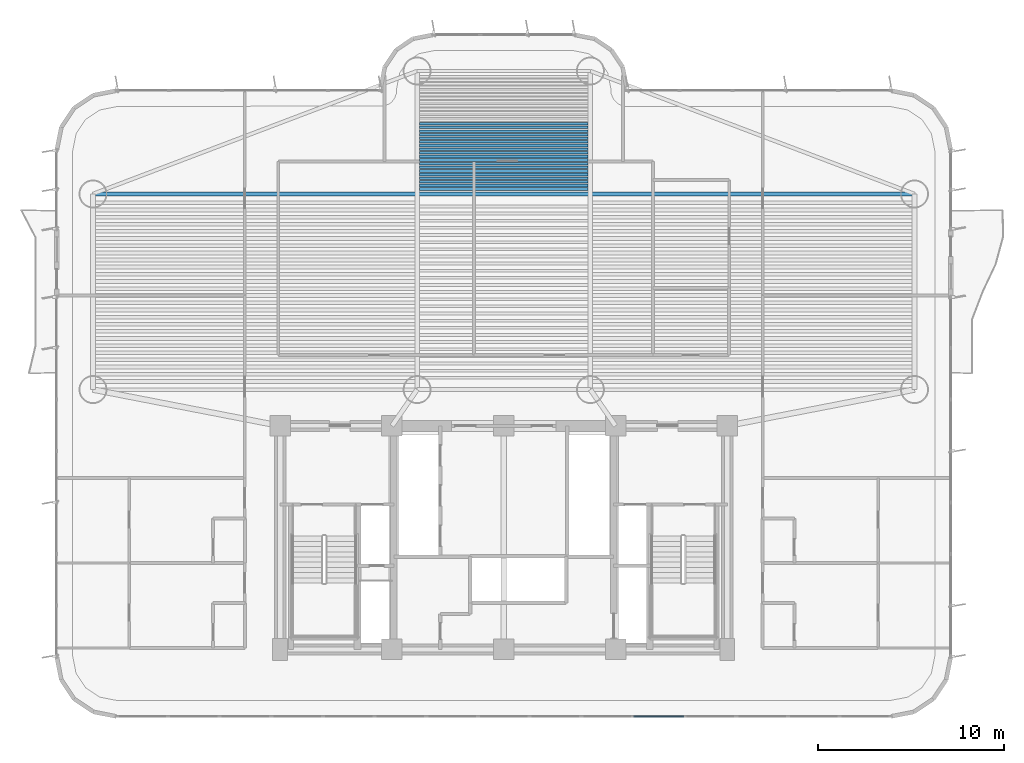
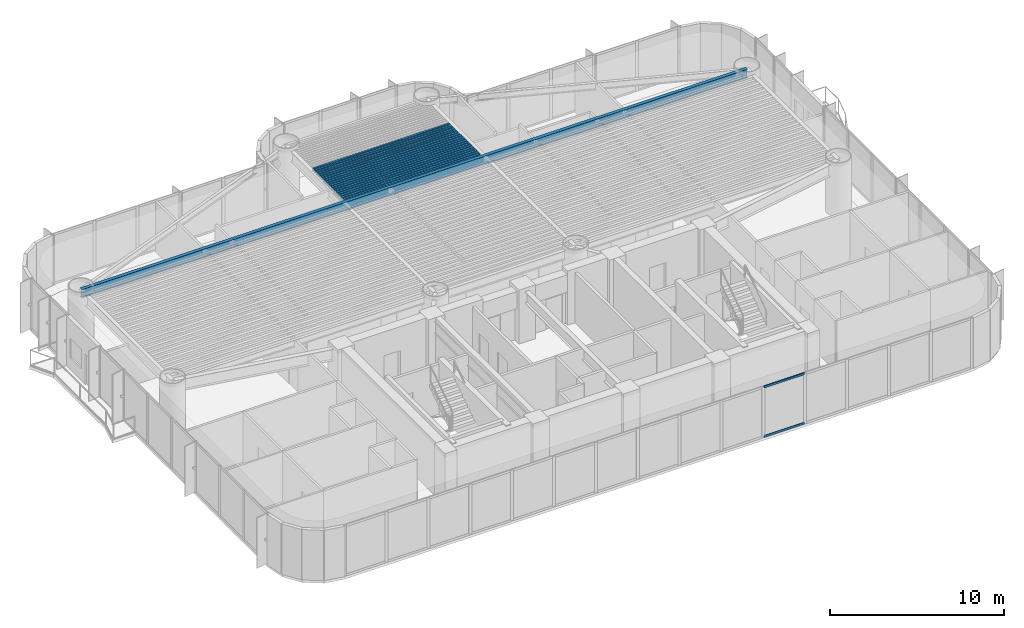
# One storey, part 4 of 17: 20 beams, 2 members, 1 element without a shape of its own.
"""IFC4 building model written with IfcOpenShell, lengths in metres."""

import ifcopenshell
import ifcopenshell.guid

model = None  # the IFC model being written
_history = None  # IfcOwnerHistory: only IFC2X3 demands one
_inside = {}  # id of a spatial element -> (the spatial element, [elements in it])
_under = {}  # id of a project, library or spatial element -> (it, [spatial elements below it])
_declared = {}  # id of a project -> (the project, [libraries it declares])
_typed = {}  # id of a type object -> (the type object, [elements of that type])
_made_of = {}  # id of a material, layer set ... -> (it, [elements and type objects made of it])


def new_model(schema):
    """Start an empty IFC model of exactly this schema.

    Asked for "IFC4X3", IfcOpenShell would pick the latest addendum, in which some entities
    have other attributes; the version numbers below select the first issue.
    IFC2X3 requires an IfcOwnerHistory on every rooted entity: one is made here for all.
    """
    global model, _history
    if schema == "IFC4X3":
        model = ifcopenshell.file(schema_version=(4, 3, 0, 0))
    else:
        model = ifcopenshell.file(schema=schema)
    _inside.clear()
    _under.clear()
    _declared.clear()
    _typed.clear()
    _made_of.clear()
    _history = None
    if model.schema == "IFC2X3":
        org = make("IfcOrganization", Name="unknown")
        user = make(
            "IfcPersonAndOrganization",
            ThePerson=make("IfcPerson", FamilyName="unknown"),
            TheOrganization=org,
        )
        app = make(
            "IfcApplication",
            ApplicationDeveloper=org,
            Version="unknown",
            ApplicationFullName="unknown",
            ApplicationIdentifier="unknown",
        )
        _history = make(
            "IfcOwnerHistory",
            OwningUser=user,
            OwningApplication=app,
            ChangeAction="ADDED",
            CreationDate=0,
        )
    return model


def make(cls, **values):
    """One entity of the class cls with the attributes given. An attribute that is None is left unset."""
    return model.create_entity(
        cls, **{name: value for name, value in values.items() if value is not None}
    )


def rooted(cls, **values):
    """An entity with a GlobalId (a new one), such as an element, a storey or a relation."""
    return make(cls, GlobalId=ifcopenshell.guid.new(), OwnerHistory=_history, **values)


def si_unit(unit_type, name, prefix=None):
    """IfcSIUnit, for example si_unit("LENGTHUNIT", "METRE", prefix="MILLI")."""
    return make("IfcSIUnit", UnitType=unit_type, Prefix=prefix, Name=name)


def assignment(units):
    """IfcUnitAssignment: the units of a project."""
    return None if units is None else make("IfcUnitAssignment", Units=units)


def point(xyz):
    """IfcCartesianPoint."""
    return None if xyz is None else make("IfcCartesianPoint", Coordinates=xyz)


def direction(xyz):
    """IfcDirection."""
    return None if xyz is None else make("IfcDirection", DirectionRatios=xyz)


def frame(location, z_axis=None, x_axis=None):
    """IfcAxis2Placement3D, a coordinate frame: its origin and axes. An axis left out is left unset."""
    return make(
        "IfcAxis2Placement3D",
        Location=point(location),
        Axis=direction(z_axis),
        RefDirection=direction(x_axis),
    )


def frame_2d(location, x_axis=None):
    """IfcAxis2Placement2D, a coordinate frame in the plane: its origin and x axis."""
    return make(
        "IfcAxis2Placement2D", Location=point(location), RefDirection=direction(x_axis)
    )


def origin():
    """The frame at (0, 0, 0) with its axes left unset."""
    return frame((0.0, 0.0, 0.0))


def origin_2d():
    """The frame at (0, 0) in the plane with its x axis left unset."""
    return frame_2d((0.0, 0.0))


def place(relative_to, where):
    """IfcLocalPlacement: puts the frame where relative to a parent placement (None: the world)."""
    return make(
        "IfcLocalPlacement", PlacementRelTo=relative_to, RelativePlacement=where
    )


def context(
    kind, dimensions, precision=None, world=None, true_north=None, identifier=None
):
    """IfcGeometricRepresentationContext, for example the 3D "Model" context."""
    return make(
        "IfcGeometricRepresentationContext",
        ContextIdentifier=identifier,
        ContextType=kind,
        CoordinateSpaceDimension=dimensions,
        Precision=precision,
        WorldCoordinateSystem=world,
        TrueNorth=true_north,
    )


def subcontext(parent, identifier, kind, view, scale=None):
    """IfcGeometricRepresentationSubContext, for example "Body" below "Model"."""
    return make(
        "IfcGeometricRepresentationSubContext",
        ContextIdentifier=identifier,
        ContextType=kind,
        ParentContext=parent,
        TargetScale=scale,
        TargetView=view,
    )


def project(units=None, contexts=None):
    """IfcProject with its units and contexts."""
    return rooted(
        "IfcProject",
        Name="project",
        RepresentationContexts=contexts,
        UnitsInContext=assignment(units),
    )


def spatial(cls, under=None, at=None, **own):
    """A site, building, storey or space (cls), placed at a placement, below another one or the project."""
    s = rooted(cls, ObjectPlacement=at, **own)
    if under is not None:
        _under.setdefault(under.id(), (under, []))[1].append(s)
    return s


def profile(cls, at=None, kind="AREA", **sizes):
    """A parametric profile (cls). Its sizes go by their IFC names, for example OverallWidth=200.0."""
    return make(cls, ProfileType=kind, Position=at, **sizes)


def rectangle(**sizes):
    """IfcRectangleProfileDef."""
    return profile("IfcRectangleProfileDef", **sizes)


def i_section(**sizes):
    """IfcIShapeProfileDef."""
    return profile("IfcIShapeProfileDef", **sizes)


def extrude(swept, where, along, depth):
    """IfcExtrudedAreaSolid: the profile swept, set in the frame where, extruded along a direction by depth."""
    return make(
        "IfcExtrudedAreaSolid",
        SweptArea=swept,
        Position=where,
        ExtrudedDirection=direction(along),
        Depth=depth,
    )


def shape(context_of_items, identifier, shape_type, items):
    """IfcShapeRepresentation: the items that make up one representation, for example the "Body"."""
    return make(
        "IfcShapeRepresentation",
        ContextOfItems=context_of_items,
        RepresentationIdentifier=identifier,
        RepresentationType=shape_type,
        Items=items,
    )


def source(mapping_origin, context_of_items, identifier, shape_type, items):
    """IfcRepresentationMap: a shape defined once, which mapped items show again and again."""
    return make(
        "IfcRepresentationMap",
        MappingOrigin=mapping_origin,
        MappedRepresentation=shape(context_of_items, identifier, shape_type, items),
    )


def transform(
    local_origin,
    x_axis=None,
    y_axis=None,
    z_axis=None,
    scale=None,
    scale2=None,
    scale3=None,
    uniform=True,
):
    """IfcCartesianTransformationOperator3D, or its non-uniform kind. x_axis, y_axis, z_axis: its Axis1, 2, 3."""
    if uniform:
        return make(
            "IfcCartesianTransformationOperator3D",
            Axis1=direction(x_axis),
            Axis2=direction(y_axis),
            LocalOrigin=point(local_origin),
            Scale=scale,
            Axis3=direction(z_axis),
        )
    return make(
        "IfcCartesianTransformationOperator3DnonUniform",
        Axis1=direction(x_axis),
        Axis2=direction(y_axis),
        LocalOrigin=point(local_origin),
        Scale=scale,
        Axis3=direction(z_axis),
        Scale2=scale2,
        Scale3=scale3,
    )


def mapped(mapping_source, mapping_target):
    """IfcMappedItem: shows the shape of a source again, moved by a transform."""
    return make(
        "IfcMappedItem", MappingSource=mapping_source, MappingTarget=mapping_target
    )


def material(Name=None, Category=None):
    """IfcMaterial."""
    return make("IfcMaterial", Name=Name, Category=Category)


def layer(
    of_material, thickness, ventilated=None, Name=None, Category=None, Priority=None
):
    """IfcMaterialLayer: one layer of a wall or slab, of a material (None: an air gap)."""
    return make(
        "IfcMaterialLayer",
        Material=of_material,
        LayerThickness=thickness,
        IsVentilated=ventilated,
        Name=Name,
        Category=Category,
        Priority=Priority,
    )


def layer_set(layers, Name=None):
    """IfcMaterialLayerSet."""
    return make("IfcMaterialLayerSet", MaterialLayers=layers, LayerSetName=Name)


def material_profile(
    of_material, cross_section, Name=None, Category=None, Priority=None
):
    """IfcMaterialProfile: a cross section and its material."""
    return make(
        "IfcMaterialProfile",
        Name=Name,
        Material=of_material,
        Profile=cross_section,
        Priority=Priority,
        Category=Category,
    )


def profile_set(profiles, Name=None, composite=None):
    """IfcMaterialProfileSet."""
    return make(
        "IfcMaterialProfileSet",
        Name=Name,
        MaterialProfiles=profiles,
        CompositeProfile=composite,
    )


def made_of(thing, what):
    """Note that an element or type object is made of a material, layer set ...; save() writes the relation."""
    if what is not None:
        _made_of.setdefault(what.id(), (what, []))[1].append(thing)
    return thing


def type_object(cls, material=None, **own):
    """A type object (cls), such as IfcWallType, which elements share."""
    return made_of(rooted(cls, **own), material)


def element(
    cls,
    number,
    at=None,
    inside=None,
    cuts=None,
    type_object=None,
    material=None,
    context=None,
    identifier="Body",
    shape_type=None,
    held_by="IfcProductDefinitionShape",
    body=None,
    shapes=None,
    **own,
):
    """One element of the class cls, such as IfcWall. Its Tag is "e" and its number.

    at: its placement. inside: the storey or other place that contains it. cuts: it is an
    opening in that element (IfcRelVoidsElement). A single representation is given by context,
    identifier, shape_type and body (its items); several are given by shapes. held_by: the class
    of the entity that holds the representations. save() writes the other relations.
    """
    e = rooted(cls, Tag="e%d" % number, ObjectPlacement=at, **own)
    if body is not None:
        shapes = [shape(context, identifier, shape_type, body)]
    if shapes is not None:
        e.Representation = make(held_by, Representations=shapes)
    if inside is not None:
        _inside.setdefault(inside.id(), (inside, []))[1].append(e)
    if cuts is not None:
        rooted(
            "IfcRelVoidsElement", RelatingBuildingElement=cuts, RelatedOpeningElement=e
        )
    if type_object is not None:
        _typed.setdefault(type_object.id(), (type_object, []))[1].append(e)
    return made_of(e, material)


def aggregate(whole, parts):
    """IfcRelAggregates: a whole, such as a stair, and the parts it consists of."""
    return rooted("IfcRelAggregates", RelatingObject=whole, RelatedObjects=parts)


def save(model, path):
    """Write the relations noted so far, then the file.

    IfcRelAggregates (storeys below a building ...), IfcRelContainedInSpatialStructure (elements
    in a storey), IfcRelDefinesByType, IfcRelAssociatesMaterial and IfcRelDeclares: one each for
    every whole, place, type object, material and project.
    """
    for whole, parts in _under.values():
        aggregate(whole, parts)
    for where, things in _inside.values():
        rooted(
            "IfcRelContainedInSpatialStructure",
            RelatedElements=things,
            RelatingStructure=where,
        )
    for kind, things in _typed.values():
        rooted("IfcRelDefinesByType", RelatedObjects=things, RelatingType=kind)
    for what, things in _made_of.values():
        rooted("IfcRelAssociatesMaterial", RelatedObjects=things, RelatingMaterial=what)
    for by, libraries in _declared.values():
        rooted("IfcRelDeclares", RelatingContext=by, RelatedDefinitions=libraries)
    model.write(path)


model = new_model("IFC4")

# Units and contexts
model_context = context("Model", 3, precision=1e-05, world=origin(), true_north=direction((0.0, 1.0)))
body_context = subcontext(model_context, "Body", "Model", "MODEL_VIEW")
ifc_project = project(units=[si_unit("LENGTHUNIT", "METRE"), si_unit("AREAUNIT", "SQUARE_METRE"), si_unit("VOLUMEUNIT", "CUBIC_METRE"), si_unit("PLANEANGLEUNIT", "RADIAN"), si_unit("MASSUNIT", "GRAM", prefix="KILO")], contexts=[model_context])

# Site, building, storey
site_placement = place(None, origin())
site = spatial("IfcSite", under=ifc_project, at=site_placement, CompositionType="ELEMENT")
building_placement = place(site_placement, origin())
building = spatial("IfcBuilding", under=site, at=building_placement, Name="Brelvock Crest Care Tower", CompositionType="ELEMENT")
storey_placement = place(building_placement, frame((0.0, 0.0, 49.679931640625)))
storey = spatial("IfcBuildingStorey", under=building, at=storey_placement, Name="L12", CompositionType="ELEMENT", Elevation=49.679931640625)

# Beams
ifc_material_1 = material(Name="Steel Grade 350", Category="steel")
ifc_material_profile_1 = material_profile(ifc_material_1, i_section(OverallWidth=0.22900390625, OverallDepth=0.612060546875, WebThickness=0.011962890625, FlangeThickness=0.01953125, FilletRadius=0.013916015625, at=origin_2d()), Name="610UB125")
ifc_profile_set_1 = profile_set([ifc_material_profile_1], Name="Steel Grade 350")
beam_type_1 = type_object("IfcBeamType", Name="BM-G1", PredefinedType="BEAM", material=ifc_profile_set_1)
shared_shape_1 = source(origin(), body_context, "Body", "SweptSolid", [
    extrude(i_section(OverallWidth=0.22900390625, OverallDepth=0.612060546875, WebThickness=0.011962890625, FlangeThickness=0.01953125, FilletRadius=0.013916015625, at=origin_2d()), origin(), (0.0, 0.0, 1.0), 44.10009765625),
])
beam_placement = place(storey_placement, frame((13.949951171875, 30.449951171875, 3.22412109375), z_axis=(1.0, 0.0, 0.0), x_axis=(0.0, 1.0, 0.0)))
element("IfcBeam", 1, at=beam_placement, inside=storey, type_object=beam_type_1, Name="BM-TWR-L12-11", PredefinedType="BEAM", context=body_context, shape_type="MappedRepresentation", body=[
    mapped(shared_shape_1, transform((0.0, 0.0, 0.0), x_axis=(1.0, 0.0, 0.0), y_axis=(0.0, 1.0, 0.0), z_axis=(0.0, 0.0, 1.0), scale=1.0)),
])
ifc_material_profile_2 = material_profile(ifc_material_1, i_section(OverallWidth=0.14599609375, OverallDepth=0.256103515625, WebThickness=0.00634765625, FlangeThickness=0.010986328125, FilletRadius=0.0087890625, at=origin_2d()), Name="250UB37.3")
ifc_profile_set_2 = profile_set([ifc_material_profile_2], Name="Steel Grade 350")
beam_type_2 = type_object("IfcBeamType", Name="BM-J3", PredefinedType="JOIST", material=ifc_profile_set_2)
shared_shape_2 = source(origin(), body_context, "Body", "SweptSolid", [
    extrude(i_section(OverallWidth=0.14599609375, OverallDepth=0.256103515625, WebThickness=0.00634765625, FlangeThickness=0.010986328125, FilletRadius=0.0087890625, at=origin_2d()), origin(), (0.0, 0.0, 1.0), 9.06982421875),
])
for number, where, z_axis, x_axis, name in (
    (2, (31.465087890625, 30.714111328125, 3.402099609375), (1.0, 0.0, 0.0), (0.0, 1.0, 0.0), "BM-JN-L12-1"),
    (3, (31.465087890625, 30.90869140625, 3.402099609375), (1.0, 0.0, 0.0), (0.0, 1.0, 0.0), "BM-JN-L12-2"),
    (4, (31.465087890625, 31.103515625, 3.402099609375), (1.0, 0.0, 0.0), (0.0, 1.0, 0.0), "BM-JN-L12-3"),
    (5, (31.465087890625, 31.298095703125, 3.402099609375), (1.0, 0.0, 0.0), (0.0, 1.0, 0.0), "BM-JN-L12-4"),
    (6, (31.465087890625, 31.492919921875, 3.402099609375), (1.0, 0.0, 0.0), (0.0, 1.0, 0.0), "BM-JN-L12-5"),
    (7, (31.465087890625, 31.6875, 3.402099609375), (1.0, 0.0, 0.0), (0.0, 1.0, 0.0), "BM-JN-L12-6"),
    (8, (31.465087890625, 31.882080078125, 3.402099609375), (1.0, 0.0, 0.0), (0.0, 1.0, 0.0), "BM-JN-L12-7"),
    (9, (31.465087890625, 32.076904296875, 3.402099609375), (1.0, 0.0, 0.0), (0.0, 1.0, 0.0), "BM-JN-L12-8"),
    (10, (31.465087890625, 32.271484375, 3.402099609375), (1.0, 0.0, 0.0), (0.0, 1.0, 0.0), "BM-JN-L12-9"),
    (11, (31.465087890625, 32.46630859375, 3.402099609375), (1.0, 0.0, 0.0), (0.0, 1.0, 0.0), "BM-JN-L12-10"),
    (12, (31.465087890625, 32.660888671875, 3.402099609375), (1.0, 0.0, 0.0), (0.0, 1.0, 0.0), "BM-JN-L12-11"),
    (13, (31.465087890625, 32.855712890625, 3.402099609375), (1.0, 0.0, 0.0), (0.0, 1.0, 0.0), "BM-JN-L12-12"),
    (14, (31.465087890625, 33.05029296875, 3.402099609375), (1.0, 0.0, 0.0), (0.0, 1.0, 0.0), "BM-JN-L12-13"),
):
    element("IfcBeam", number, at=place(storey_placement, frame(where, z_axis=z_axis, x_axis=x_axis)), inside=storey, type_object=beam_type_2, Name=name, PredefinedType="JOIST", context=body_context, shape_type="MappedRepresentation", body=[
        mapped(shared_shape_2, transform((0.0, 0.0, 0.0), x_axis=(1.0, 0.0, 0.0), y_axis=(0.0, 1.0, 0.0), z_axis=(0.0, 0.0, 1.0), scale=1.0)),
    ])
ifc_material_profile_3 = material_profile(ifc_material_1, i_section(OverallWidth=0.134033203125, OverallDepth=0.20703125, WebThickness=0.00634765625, FlangeThickness=0.009521484375, FilletRadius=0.0087890625, at=origin_2d()), Name="200UB29.8")
ifc_profile_set_3 = profile_set([ifc_material_profile_3], Name="Steel Grade 350")
beam_type_3 = type_object("IfcBeamType", Name="BM-J4", PredefinedType="JOIST", material=ifc_profile_set_3)
shared_shape_3 = source(origin(), body_context, "Body", "SweptSolid", [
    extrude(i_section(OverallWidth=0.134033203125, OverallDepth=0.20703125, WebThickness=0.00634765625, FlangeThickness=0.009521484375, FilletRadius=0.0087890625, at=origin_2d()), origin(), (0.0, 0.0, 1.0), 9.06982421875),
])
for number, where, z_axis, x_axis, name in (
    (15, (31.465087890625, 33.2451171875, 3.426513671875), (1.0, 0.0, 0.0), (0.0, 1.0, 0.0), "BM-JN-L12-14"),
    (16, (31.465087890625, 33.439697265625, 3.426513671875), (1.0, 0.0, 0.0), (0.0, 1.0, 0.0), "BM-JN-L12-15"),
    (17, (31.465087890625, 33.634521484375, 3.426513671875), (1.0, 0.0, 0.0), (0.0, 1.0, 0.0), "BM-JN-L12-16"),
    (18, (31.465087890625, 33.8291015625, 3.426513671875), (1.0, 0.0, 0.0), (0.0, 1.0, 0.0), "BM-JN-L12-17"),
    (19, (31.465087890625, 34.02392578125, 3.426513671875), (1.0, 0.0, 0.0), (0.0, 1.0, 0.0), "BM-JN-L12-18"),
    (20, (31.465087890625, 34.218505859375, 3.426513671875), (1.0, 0.0, 0.0), (0.0, 1.0, 0.0), "BM-JN-L12-19"),
):
    element("IfcBeam", number, at=place(storey_placement, frame(where, z_axis=z_axis, x_axis=x_axis)), inside=storey, type_object=beam_type_3, Name=name, PredefinedType="JOIST", context=body_context, shape_type="MappedRepresentation", body=[
        mapped(shared_shape_3, transform((0.0, 0.0, 0.0), x_axis=(1.0, 0.0, 0.0), y_axis=(0.0, 1.0, 0.0), z_axis=(0.0, 0.0, 1.0), scale=1.0)),
    ])

# Curtain wall, members
ifc_material_2 = material(Name="Dark Glass Double Glazed Low-E", Category="glass")
ifc_layer = layer(ifc_material_2, 0.195068359375, Name="CWS-2")
ifc_layer_set = layer_set([ifc_layer], Name="Dark Glass Double Glazed Low-E")
curtain_wall_type = type_object("IfcCurtainWallType", Name="CWS-2", PredefinedType="NOTDEFINED", material=ifc_layer_set)
curtain_wall_placement = place(storey_placement, origin())
curtain_wall = element("IfcCurtainWall", 21, at=curtain_wall_placement, inside=storey, type_object=curtain_wall_type, Name="L12 Curtain Wall E08", PredefinedType="NOTDEFINED")
ifc_material_3 = material(Name="Aluminium 6063-T6", Category="aluminium")
ifc_material_profile_4 = material_profile(ifc_material_3, rectangle(XDim=0.06494140625, YDim=0.14990234375, at=origin_2d()), Name="ALU65x150")
ifc_profile_set_4 = profile_set([ifc_material_profile_4], Name="Aluminium 6063-T6")
member_type = type_object("IfcMemberType", Name="CWT-1", PredefinedType="USERDEFINED", material=ifc_profile_set_4)
shared_shape_4 = source(origin(), body_context, "Body", "SweptSolid", [
    extrude(rectangle(XDim=0.06494140625, YDim=0.14990234375, at=origin_2d()), origin(), (0.0, 0.0, 1.0), 2.708251953125),
])
member_1_placement = place(storey_placement, frame((45.674072265625, 2.39990234375, 0.032470703125), z_axis=(-1.0, 0.0, 0.0), x_axis=(0.0, -1.0, 0.0)))
member_1 = element("IfcMember", 22, at=member_1_placement, type_object=member_type, Name="CW-2 transom 5.1", ObjectType="TRANSOM", PredefinedType="USERDEFINED", context=body_context, shape_type="MappedRepresentation", body=[
    mapped(shared_shape_4, transform((0.0, 0.0, 0.0), x_axis=(1.0, 0.0, 0.0), y_axis=(0.0, 1.0, 0.0), z_axis=(0.0, 0.0, 1.0), scale=1.0)),
])
member_2_placement = place(storey_placement, frame((45.674072265625, 2.39990234375, 3.49755859375), z_axis=(-1.0, 0.0, 0.0), x_axis=(0.0, -1.0, 0.0)))
member_2 = element("IfcMember", 23, at=member_2_placement, type_object=member_type, Name="CW-2 transom 5.2", ObjectType="TRANSOM", PredefinedType="USERDEFINED", context=body_context, shape_type="MappedRepresentation", body=[
    mapped(shared_shape_4, transform((0.0, 0.0, 0.0), x_axis=(1.0, 0.0, 0.0), y_axis=(0.0, 1.0, 0.0), z_axis=(0.0, 0.0, 1.0), scale=1.0)),
])
aggregate(curtain_wall, [member_1, member_2])

save(model, "model.ifc")
